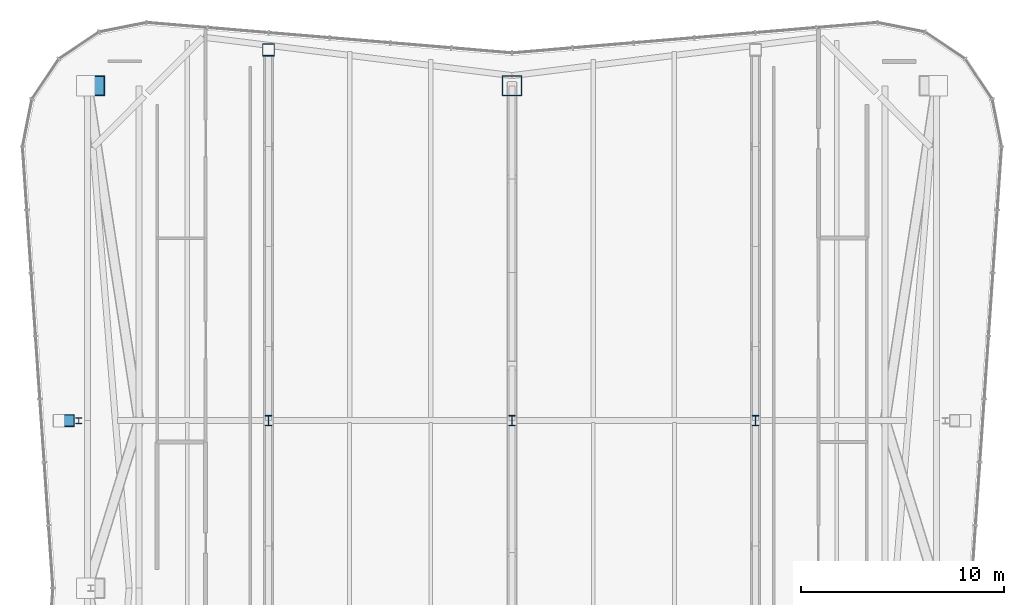
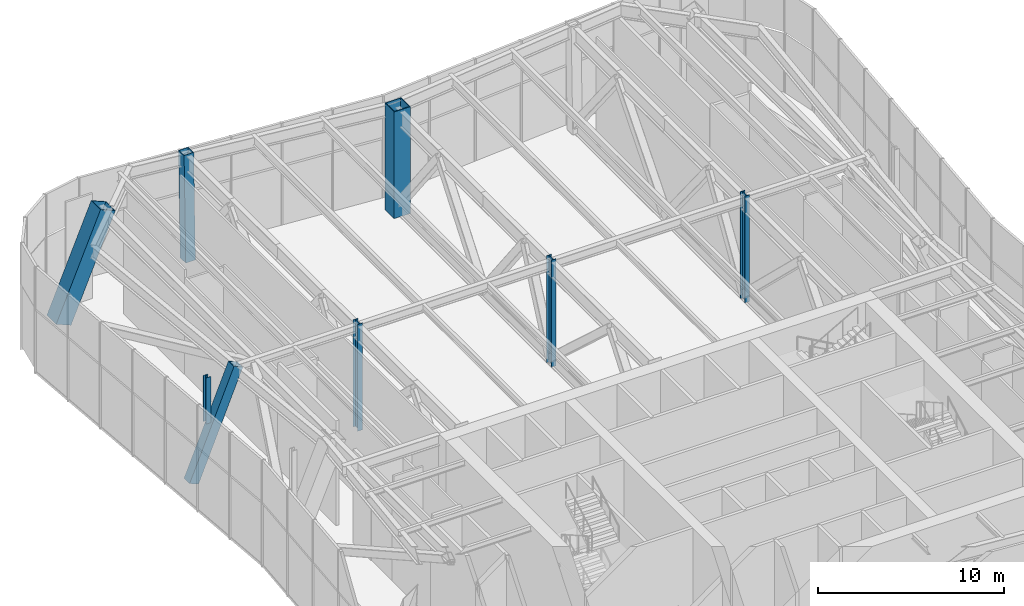
# One storey, part 3 of 17: 8 columns.
"""IFC4 building model written with IfcOpenShell, lengths in metres."""

from ifc_helpers import new_model, si_unit, direction, frame, origin, origin_2d, place, context, subcontext, project, spatial, hollow_rectangle, i_section, extrude, material, material_profile, profile_set, type_object, element, save


model = new_model("IFC4")

# Units and contexts
model_context = context("Model", 3, precision=1e-05, world=origin(), true_north=direction((0.0, 1.0)))
body_context = subcontext(model_context, "Body", "Model", "MODEL_VIEW")
ifc_project = project(units=[si_unit("LENGTHUNIT", "METRE"), si_unit("AREAUNIT", "SQUARE_METRE"), si_unit("VOLUMEUNIT", "CUBIC_METRE"), si_unit("PLANEANGLEUNIT", "RADIAN"), si_unit("MASSUNIT", "GRAM", prefix="KILO")], contexts=[model_context])

# Site, building, storey
site_placement = place(None, origin())
site = spatial("IfcSite", under=ifc_project, at=site_placement, CompositionType="ELEMENT")
building_placement = place(site_placement, origin())
building = spatial("IfcBuilding", under=site, at=building_placement, Name="Verdant Reach Tower", CompositionType="ELEMENT")
storey_placement = place(building_placement, frame((0.0, 0.0, 282.0)))
storey = spatial("IfcBuildingStorey", under=building, at=storey_placement, Name="L65 Plant", CompositionType="ELEMENT", Elevation=282.0)

# Columns
ifc_material = material(Name="Steel S460", Category="steel")
ifc_material_profile_1 = material_profile(ifc_material, i_section(OverallWidth=0.305908203125, OverallDepth=0.52392578125, WebThickness=0.012451171875, FlangeThickness=0.0400390625, FilletRadius=0.027099609375, at=origin_2d()), Name="HEM 500")
ifc_profile_set_1 = profile_set([ifc_material_profile_1], Name="Steel S460")
column_type_1 = type_object("IfcColumnType", Name="ST-COL-HEM500", PredefinedType="COLUMN", material=ifc_profile_set_1)
for number, where, z_axis, x_axis, name in (
    (1, (-12.0, 49.5, 0.0), (0.0, 0.0, 1.0), (1.0, 0.0, 0.0), "Interior column 1, L65 Plant"),
    (2, (0.0, 49.5, 0.0), (0.0, 0.0, 1.0), (1.0, 0.0, 0.0), "Interior column 2, L65 Plant"),
    (3, (12.0, 49.5, 0.0), (0.0, 0.0, 1.0), (1.0, 0.0, 0.0), "Interior column 3, L65 Plant"),
):
    element("IfcColumn", number, at=place(storey_placement, frame(where, z_axis=z_axis, x_axis=x_axis)), inside=storey, type_object=column_type_1, Name=name, PredefinedType="COLUMN", context=body_context, shape_type="SweptSolid", body=[
        extrude(i_section(OverallWidth=0.305908203125, OverallDepth=0.52392578125, WebThickness=0.012451171875, FlangeThickness=0.0400390625, FilletRadius=0.027099609375, at=origin_2d()), origin(), (0.0, 0.0, 1.0), 7.0),
    ])
ifc_material_profile_2 = material_profile(ifc_material, hollow_rectangle(XDim=1.0, YDim=1.0, WallThickness=0.044921875, at=origin_2d()), Name="WB 1000x1000x45")
ifc_profile_set_2 = profile_set([ifc_material_profile_2], Name="Steel S460")
column_type_2 = type_object("IfcColumnType", Name="ST-COL-WB1000x1000x45", PredefinedType="COLUMN", material=ifc_profile_set_2)
column_1_placement = place(storey_placement, frame((-21.0, 66.0, 0.22265625), z_axis=(0.386877430339, 0.0, 0.922131147882), x_axis=(0.0, 1.0, 0.0)))
element("IfcColumn", 4, at=column_1_placement, inside=storey, type_object=column_type_2, Name="Mega column north-west, L65 Plant", PredefinedType="COLUMN", context=body_context, shape_type="SweptSolid", body=[
    extrude(hollow_rectangle(XDim=1.0, YDim=1.0, WallThickness=0.044921875, at=origin_2d()), origin(), (0.0, 0.0, 1.0), 7.108154296875),
])
column_2_placement = place(storey_placement, frame((0.0, 66.0, 0.0), z_axis=(0.0, 0.0, 1.0), x_axis=(1.0, 0.0, 0.0)))
element("IfcColumn", 5, at=column_2_placement, inside=storey, type_object=column_type_2, Name="Mega column north, L65 Plant", PredefinedType="COLUMN", context=body_context, shape_type="SweptSolid", body=[
    extrude(hollow_rectangle(XDim=1.0, YDim=1.0, WallThickness=0.044921875, at=origin_2d()), origin(), (0.0, 0.0, 1.0), 7.0),
])
ifc_material_profile_3 = material_profile(ifc_material, hollow_rectangle(XDim=0.60009765625, YDim=0.60009765625, WallThickness=0.02490234375, at=origin_2d()), Name="WB 600x600x25")
ifc_profile_set_3 = profile_set([ifc_material_profile_3], Name="Steel S460")
column_type_3 = type_object("IfcColumnType", Name="ST-COL-WB600x600x25", PredefinedType="COLUMN", material=ifc_profile_set_3)
column_3_placement = place(storey_placement, frame((-12.0, 67.75, 0.02880859375), z_axis=(0.0, 0.025979412411, 0.999662478105), x_axis=(-1.0, 0.0, 0.0)))
element("IfcColumn", 6, at=column_3_placement, inside=storey, type_object=column_type_3, Name="Perimeter column north 1, L65 Plant", PredefinedType="COLUMN", context=body_context, shape_type="SweptSolid", body=[
    extrude(hollow_rectangle(XDim=0.60009765625, YDim=0.60009765625, WallThickness=0.02490234375, at=origin_2d()), origin(), (0.0, 0.0, 1.0), 6.94482421875),
])
column_4_placement = place(storey_placement, frame((-22.319091796875, 49.5, 0.1416015625), z_axis=(0.378894787682, 0.0, 0.925439754856), x_axis=(0.0, 1.0, 0.0)))
element("IfcColumn", 7, at=column_4_placement, inside=storey, type_object=column_type_3, Name="Perimeter column west 2, L65 Plant", PredefinedType="COLUMN", context=body_context, shape_type="SweptSolid", body=[
    extrude(hollow_rectangle(XDim=0.60009765625, YDim=0.60009765625, WallThickness=0.02490234375, at=origin_2d()), origin(), (0.0, 0.0, 1.0), 7.258056640625),
])
ifc_material_profile_4 = material_profile(ifc_material, i_section(OverallWidth=0.300048828125, OverallDepth=0.300048828125, WebThickness=0.010986328125, FlangeThickness=0.01904296875, FilletRadius=0.027099609375, at=origin_2d()), Name="HEB 300")
ifc_profile_set_4 = profile_set([ifc_material_profile_4], Name="Steel S460")
column_type_4 = type_object("IfcColumnType", Name="ST-DECK-POST-HEB300", PredefinedType="COLUMN", material=ifc_profile_set_4)
column_5_placement = place(storey_placement, frame((-21.3466796875, 49.5, 3.6748046875), z_axis=(0.0, 0.0, 1.0), x_axis=(1.0, 0.0, 0.0)))
element("IfcColumn", 8, at=column_5_placement, inside=storey, type_object=column_type_4, Name="Terrace deck post, column P-W2, L65 Plant", PredefinedType="COLUMN", context=body_context, shape_type="SweptSolid", body=[
    extrude(i_section(OverallWidth=0.300048828125, OverallDepth=0.300048828125, WebThickness=0.010986328125, FlangeThickness=0.01904296875, FilletRadius=0.027099609375, at=origin_2d()), origin(), (0.0, 0.0, 1.0), 3.025146484375),
])

save(model, "model.ifc")
